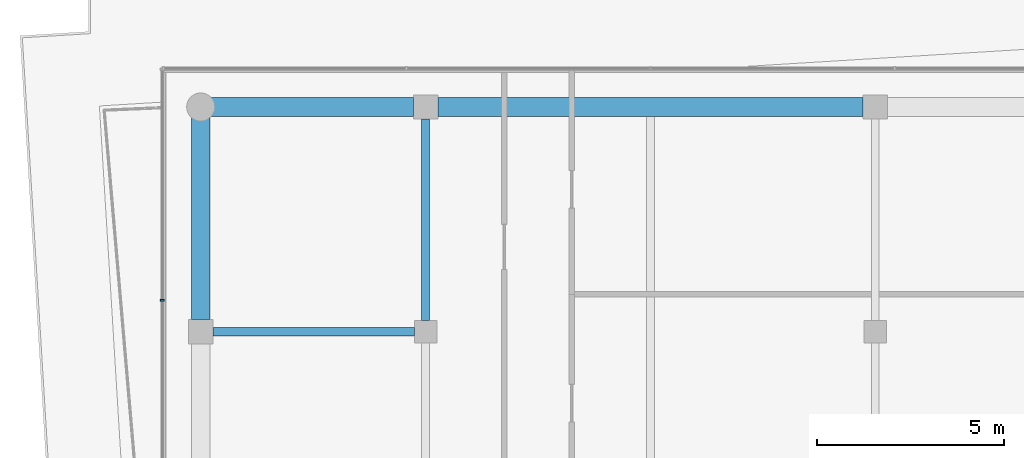
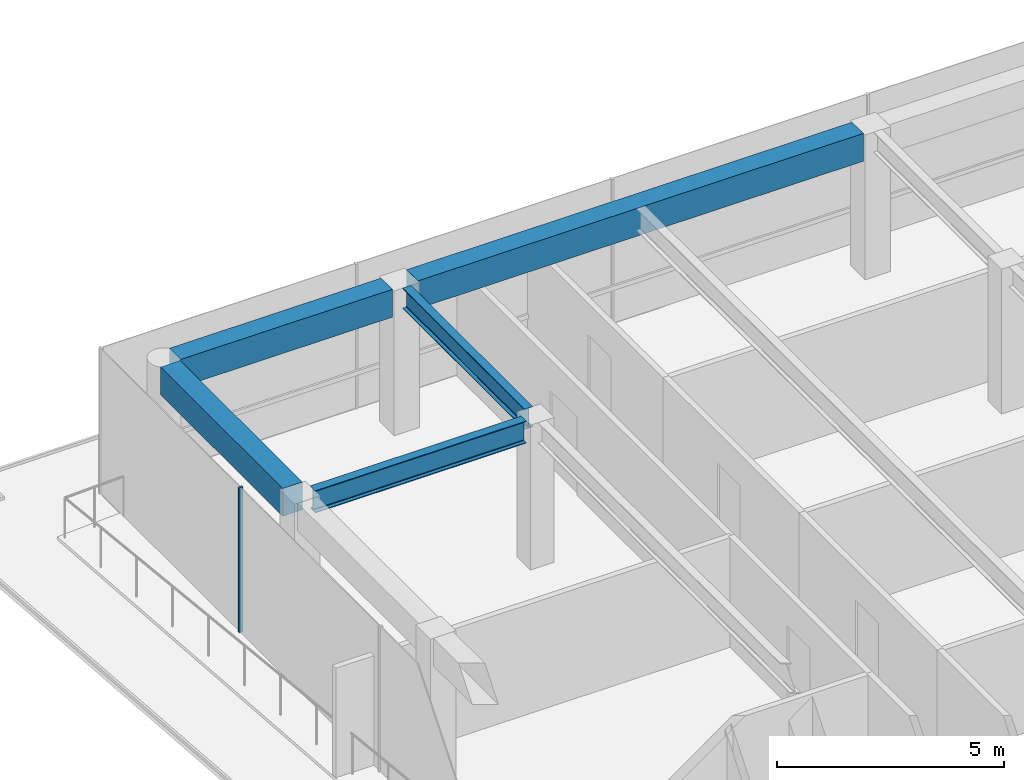
# One storey, part 13 of 22: 5 beams, 1 member, 1 element without a shape of its own.
"""IFC4 building model written with IfcOpenShell, lengths in metres."""

import ifcopenshell
import ifcopenshell.guid

model = None  # the IFC model being written
_history = None  # IfcOwnerHistory: only IFC2X3 demands one
_inside = {}  # id of a spatial element -> (the spatial element, [elements in it])
_under = {}  # id of a project, library or spatial element -> (it, [spatial elements below it])
_declared = {}  # id of a project -> (the project, [libraries it declares])
_typed = {}  # id of a type object -> (the type object, [elements of that type])
_made_of = {}  # id of a material, layer set ... -> (it, [elements and type objects made of it])


def new_model(schema):
    """Start an empty IFC model of exactly this schema.

    Asked for "IFC4X3", IfcOpenShell would pick the latest addendum, in which some entities
    have other attributes; the version numbers below select the first issue.
    IFC2X3 requires an IfcOwnerHistory on every rooted entity: one is made here for all.
    """
    global model, _history
    if schema == "IFC4X3":
        model = ifcopenshell.file(schema_version=(4, 3, 0, 0))
    else:
        model = ifcopenshell.file(schema=schema)
    _inside.clear()
    _under.clear()
    _declared.clear()
    _typed.clear()
    _made_of.clear()
    _history = None
    if model.schema == "IFC2X3":
        org = make("IfcOrganization", Name="unknown")
        user = make(
            "IfcPersonAndOrganization",
            ThePerson=make("IfcPerson", FamilyName="unknown"),
            TheOrganization=org,
        )
        app = make(
            "IfcApplication",
            ApplicationDeveloper=org,
            Version="unknown",
            ApplicationFullName="unknown",
            ApplicationIdentifier="unknown",
        )
        _history = make(
            "IfcOwnerHistory",
            OwningUser=user,
            OwningApplication=app,
            ChangeAction="ADDED",
            CreationDate=0,
        )
    return model


def make(cls, **values):
    """One entity of the class cls with the attributes given. An attribute that is None is left unset."""
    return model.create_entity(
        cls, **{name: value for name, value in values.items() if value is not None}
    )


def rooted(cls, **values):
    """An entity with a GlobalId (a new one), such as an element, a storey or a relation."""
    return make(cls, GlobalId=ifcopenshell.guid.new(), OwnerHistory=_history, **values)


def si_unit(unit_type, name, prefix=None):
    """IfcSIUnit, for example si_unit("LENGTHUNIT", "METRE", prefix="MILLI")."""
    return make("IfcSIUnit", UnitType=unit_type, Prefix=prefix, Name=name)


def assignment(units):
    """IfcUnitAssignment: the units of a project."""
    return None if units is None else make("IfcUnitAssignment", Units=units)


def point(xyz):
    """IfcCartesianPoint."""
    return None if xyz is None else make("IfcCartesianPoint", Coordinates=xyz)


def direction(xyz):
    """IfcDirection."""
    return None if xyz is None else make("IfcDirection", DirectionRatios=xyz)


def frame(location, z_axis=None, x_axis=None):
    """IfcAxis2Placement3D, a coordinate frame: its origin and axes. An axis left out is left unset."""
    return make(
        "IfcAxis2Placement3D",
        Location=point(location),
        Axis=direction(z_axis),
        RefDirection=direction(x_axis),
    )


def frame_2d(location, x_axis=None):
    """IfcAxis2Placement2D, a coordinate frame in the plane: its origin and x axis."""
    return make(
        "IfcAxis2Placement2D", Location=point(location), RefDirection=direction(x_axis)
    )


def origin():
    """The frame at (0, 0, 0) with its axes left unset."""
    return frame((0.0, 0.0, 0.0))


def origin_2d():
    """The frame at (0, 0) in the plane with its x axis left unset."""
    return frame_2d((0.0, 0.0))


def place(relative_to, where):
    """IfcLocalPlacement: puts the frame where relative to a parent placement (None: the world)."""
    return make(
        "IfcLocalPlacement", PlacementRelTo=relative_to, RelativePlacement=where
    )


def context(
    kind, dimensions, precision=None, world=None, true_north=None, identifier=None
):
    """IfcGeometricRepresentationContext, for example the 3D "Model" context."""
    return make(
        "IfcGeometricRepresentationContext",
        ContextIdentifier=identifier,
        ContextType=kind,
        CoordinateSpaceDimension=dimensions,
        Precision=precision,
        WorldCoordinateSystem=world,
        TrueNorth=true_north,
    )


def subcontext(parent, identifier, kind, view, scale=None):
    """IfcGeometricRepresentationSubContext, for example "Body" below "Model"."""
    return make(
        "IfcGeometricRepresentationSubContext",
        ContextIdentifier=identifier,
        ContextType=kind,
        ParentContext=parent,
        TargetScale=scale,
        TargetView=view,
    )


def project(units=None, contexts=None):
    """IfcProject with its units and contexts."""
    return rooted(
        "IfcProject",
        Name="project",
        RepresentationContexts=contexts,
        UnitsInContext=assignment(units),
    )


def spatial(cls, under=None, at=None, **own):
    """A site, building, storey or space (cls), placed at a placement, below another one or the project."""
    s = rooted(cls, ObjectPlacement=at, **own)
    if under is not None:
        _under.setdefault(under.id(), (under, []))[1].append(s)
    return s


def profile(cls, at=None, kind="AREA", **sizes):
    """A parametric profile (cls). Its sizes go by their IFC names, for example OverallWidth=200.0."""
    return make(cls, ProfileType=kind, Position=at, **sizes)


def rectangle(**sizes):
    """IfcRectangleProfileDef."""
    return profile("IfcRectangleProfileDef", **sizes)


def i_section(**sizes):
    """IfcIShapeProfileDef."""
    return profile("IfcIShapeProfileDef", **sizes)


def extrude(swept, where, along, depth):
    """IfcExtrudedAreaSolid: the profile swept, set in the frame where, extruded along a direction by depth."""
    return make(
        "IfcExtrudedAreaSolid",
        SweptArea=swept,
        Position=where,
        ExtrudedDirection=direction(along),
        Depth=depth,
    )


def shape(context_of_items, identifier, shape_type, items):
    """IfcShapeRepresentation: the items that make up one representation, for example the "Body"."""
    return make(
        "IfcShapeRepresentation",
        ContextOfItems=context_of_items,
        RepresentationIdentifier=identifier,
        RepresentationType=shape_type,
        Items=items,
    )


def material(Name=None, Category=None):
    """IfcMaterial."""
    return make("IfcMaterial", Name=Name, Category=Category)


def layer(
    of_material, thickness, ventilated=None, Name=None, Category=None, Priority=None
):
    """IfcMaterialLayer: one layer of a wall or slab, of a material (None: an air gap)."""
    return make(
        "IfcMaterialLayer",
        Material=of_material,
        LayerThickness=thickness,
        IsVentilated=ventilated,
        Name=Name,
        Category=Category,
        Priority=Priority,
    )


def layer_set(layers, Name=None):
    """IfcMaterialLayerSet."""
    return make("IfcMaterialLayerSet", MaterialLayers=layers, LayerSetName=Name)


def material_profile(
    of_material, cross_section, Name=None, Category=None, Priority=None
):
    """IfcMaterialProfile: a cross section and its material."""
    return make(
        "IfcMaterialProfile",
        Name=Name,
        Material=of_material,
        Profile=cross_section,
        Priority=Priority,
        Category=Category,
    )


def profile_set(profiles, Name=None, composite=None):
    """IfcMaterialProfileSet."""
    return make(
        "IfcMaterialProfileSet",
        Name=Name,
        MaterialProfiles=profiles,
        CompositeProfile=composite,
    )


def made_of(thing, what):
    """Note that an element or type object is made of a material, layer set ...; save() writes the relation."""
    if what is not None:
        _made_of.setdefault(what.id(), (what, []))[1].append(thing)
    return thing


def type_object(cls, material=None, **own):
    """A type object (cls), such as IfcWallType, which elements share."""
    return made_of(rooted(cls, **own), material)


def element(
    cls,
    number,
    at=None,
    inside=None,
    cuts=None,
    type_object=None,
    material=None,
    context=None,
    identifier="Body",
    shape_type=None,
    held_by="IfcProductDefinitionShape",
    body=None,
    shapes=None,
    **own,
):
    """One element of the class cls, such as IfcWall. Its Tag is "e" and its number.

    at: its placement. inside: the storey or other place that contains it. cuts: it is an
    opening in that element (IfcRelVoidsElement). A single representation is given by context,
    identifier, shape_type and body (its items); several are given by shapes. held_by: the class
    of the entity that holds the representations. save() writes the other relations.
    """
    e = rooted(cls, Tag="e%d" % number, ObjectPlacement=at, **own)
    if body is not None:
        shapes = [shape(context, identifier, shape_type, body)]
    if shapes is not None:
        e.Representation = make(held_by, Representations=shapes)
    if inside is not None:
        _inside.setdefault(inside.id(), (inside, []))[1].append(e)
    if cuts is not None:
        rooted(
            "IfcRelVoidsElement", RelatingBuildingElement=cuts, RelatedOpeningElement=e
        )
    if type_object is not None:
        _typed.setdefault(type_object.id(), (type_object, []))[1].append(e)
    return made_of(e, material)


def aggregate(whole, parts):
    """IfcRelAggregates: a whole, such as a stair, and the parts it consists of."""
    return rooted("IfcRelAggregates", RelatingObject=whole, RelatedObjects=parts)


def save(model, path):
    """Write the relations noted so far, then the file.

    IfcRelAggregates (storeys below a building ...), IfcRelContainedInSpatialStructure (elements
    in a storey), IfcRelDefinesByType, IfcRelAssociatesMaterial and IfcRelDeclares: one each for
    every whole, place, type object, material and project.
    """
    for whole, parts in _under.values():
        aggregate(whole, parts)
    for where, things in _inside.values():
        rooted(
            "IfcRelContainedInSpatialStructure",
            RelatedElements=things,
            RelatingStructure=where,
        )
    for kind, things in _typed.values():
        rooted("IfcRelDefinesByType", RelatedObjects=things, RelatingType=kind)
    for what, things in _made_of.values():
        rooted("IfcRelAssociatesMaterial", RelatedObjects=things, RelatingMaterial=what)
    for by, libraries in _declared.values():
        rooted("IfcRelDeclares", RelatingContext=by, RelatedDefinitions=libraries)
    model.write(path)


model = new_model("IFC4")

# Units and contexts
model_context = context("Model", 3, precision=1e-05, world=origin(), true_north=direction((0.0, 1.0)))
body_context = subcontext(model_context, "Body", "Model", "MODEL_VIEW")
ifc_project = project(units=[si_unit("LENGTHUNIT", "METRE"), si_unit("AREAUNIT", "SQUARE_METRE"), si_unit("VOLUMEUNIT", "CUBIC_METRE"), si_unit("PLANEANGLEUNIT", "RADIAN"), si_unit("MASSUNIT", "GRAM", prefix="KILO")], contexts=[model_context])

# Site, building, storey
site_placement = place(None, origin())
site = spatial("IfcSite", under=ifc_project, at=site_placement, CompositionType="ELEMENT")
building_placement = place(site_placement, origin())
building = spatial("IfcBuilding", under=site, at=building_placement, Name="Welwitschia Terrace Campus", CompositionType="ELEMENT")
storey_placement = place(building_placement, frame((0.0, 0.0, 318.800048828125)))
storey = spatial("IfcBuildingStorey", under=building, at=storey_placement, Name="L71", CompositionType="ELEMENT", Elevation=318.800048828125)

# Beam
ifc_material_1 = material(Name="Steel S355", Category="steel")
ifc_material_profile_1 = material_profile(ifc_material_1, i_section(OverallWidth=0.2099609375, OverallDepth=0.550048828125, WebThickness=0.010986328125, FlangeThickness=0.01708984375, FilletRadius=0.02392578125, at=origin_2d()))
ifc_profile_set_1 = profile_set([ifc_material_profile_1], Name="Steel S355")
beam_type_1 = type_object("IfcBeamType", Name="Interior girder IPE 550", PredefinedType="BEAM", material=ifc_profile_set_1)
beam_1_placement = place(storey_placement, frame((6.0, 44.300537109375, 3.625), z_axis=(0.0, 1.0, 0.0), x_axis=(-1.0, 0.0, 0.0)))
element("IfcBeam", 1, at=beam_1_placement, inside=storey, type_object=beam_type_1, Name="Girder GB7", PredefinedType="BEAM", context=body_context, shape_type="SweptSolid", body=[
    extrude(i_section(OverallWidth=0.2099609375, OverallDepth=0.550048828125, WebThickness=0.010986328125, FlangeThickness=0.01708984375, FilletRadius=0.02392578125, at=origin_2d()), origin(), (0.0, 0.0, 1.0), 5.384033203125),
])

# Curtain wall, member
ifc_material_2 = material(Name="Bronze anodised aluminium", Category="aluminium")
ifc_layer = layer(ifc_material_2, 0.10009765625)
ifc_layer_set = layer_set([ifc_layer], Name="Bronze anodised aluminium")
curtain_wall_type = type_object("IfcCurtainWallType", Name="Curtain wall CW5 crown 6000", PredefinedType="NOTDEFINED", material=ifc_layer_set)
curtain_wall_placement = place(storey_placement, origin())
curtain_wall = element("IfcCurtainWall", 2, at=curtain_wall_placement, inside=storey, type_object=curtain_wall_type, Name="CW L71.7.0", PredefinedType="NOTDEFINED")
ifc_material_3 = material(Name="Bronze anodised aluminium", Category="aluminium")
ifc_material_profile_2 = material_profile(ifc_material_3, rectangle(XDim=0.10009765625, YDim=0.050048828125, at=origin_2d()))
ifc_profile_set_2 = profile_set([ifc_material_profile_2], Name="Bronze anodised aluminium")
member_type = type_object("IfcMemberType", Name="Mullion 50x100", PredefinedType="MULLION", material=ifc_profile_set_2)
member_placement = place(storey_placement, frame((-1.030029296875, 44.847900390625, 0.0), z_axis=(0.0, 0.0, 1.0), x_axis=(1.0, 0.0, 0.0)))
member = element("IfcMember", 3, at=member_placement, type_object=member_type, Name="Mullion L71.7.0.1", PredefinedType="MULLION", context=body_context, shape_type="SweptSolid", body=[
    extrude(rectangle(XDim=0.10009765625, YDim=0.050048828125, at=origin_2d()), origin(), (0.0, 0.0, 1.0), 3.89990234375),
])
aggregate(curtain_wall, [member])

# Beams
ifc_material_4 = material(Name="Steel S355", Category="steel")
ifc_material_profile_3 = material_profile(ifc_material_4, i_section(OverallWidth=0.219970703125, OverallDepth=0.60009765625, WebThickness=0.011962890625, FlangeThickness=0.01904296875, FilletRadius=0.02392578125, at=origin_2d()))
ifc_profile_set_3 = profile_set([ifc_material_profile_3], Name="Steel S355")
beam_type_2 = type_object("IfcBeamType", Name="Primary beam IPE 600", PredefinedType="BEAM", material=ifc_profile_set_3)
beam_2_placement = place(storey_placement, frame((0.325439453125, 44.0, 3.599853515625), z_axis=(1.0, 0.0, 0.0), x_axis=(0.0, 1.0, 0.0)))
element("IfcBeam", 4, at=beam_2_placement, inside=storey, type_object=beam_type_2, Name="Primary beam PB7", PredefinedType="BEAM", context=body_context, shape_type="SweptSolid", body=[
    extrude(i_section(OverallWidth=0.219970703125, OverallDepth=0.60009765625, WebThickness=0.011962890625, FlangeThickness=0.01904296875, FilletRadius=0.02392578125, at=origin_2d()), origin(), (0.0, 0.0, 1.0), 5.3740234375),
])
ifc_material_5 = material(Name="Concrete C40/50", Category="concrete")
ifc_material_profile_4 = material_profile(ifc_material_5, rectangle(XDim=0.5, YDim=0.75, at=origin_2d()))
ifc_profile_set_4 = profile_set([ifc_material_profile_4], Name="Concrete C40/50")
beam_type_3 = type_object("IfcBeamType", Name="Ring spandrel 500x750", PredefinedType="SPANDREL", material=ifc_profile_set_4)
beam_3_placement = place(storey_placement, frame((17.674560546875, 50.0, 3.52490234375), z_axis=(-1.0, 0.0, 0.0), x_axis=(0.0, -1.0, 0.0)))
element("IfcBeam", 5, at=beam_3_placement, inside=storey, type_object=beam_type_3, Name="Spandrel SP5", PredefinedType="SPANDREL", context=body_context, shape_type="SweptSolid", body=[
    extrude(rectangle(XDim=0.5, YDim=0.75, at=origin_2d()), origin(), (0.0, 0.0, 1.0), 11.34912109375),
])
for number, where, z_axis, x_axis, name in (
    (6, (5.674560546875, 50.0, 3.52490234375), (-1.0, 0.0, 0.0), (0.0, -1.0, 0.0), "Spandrel SP5"),
    (7, (0.0, 49.719482421875, 3.52490234375), (0.0, -1.0, 0.0), (1.0, 0.0, 0.0), "Spandrel SP5"),
):
    element("IfcBeam", number, at=place(storey_placement, frame(where, z_axis=z_axis, x_axis=x_axis)), inside=storey, type_object=beam_type_3, Name=name, PredefinedType="SPANDREL", context=body_context, shape_type="SweptSolid", body=[
        extrude(rectangle(XDim=0.5, YDim=0.75, at=origin_2d()), origin(), (0.0, 0.0, 1.0), 5.39404296875),
    ])

save(model, "model.ifc")
